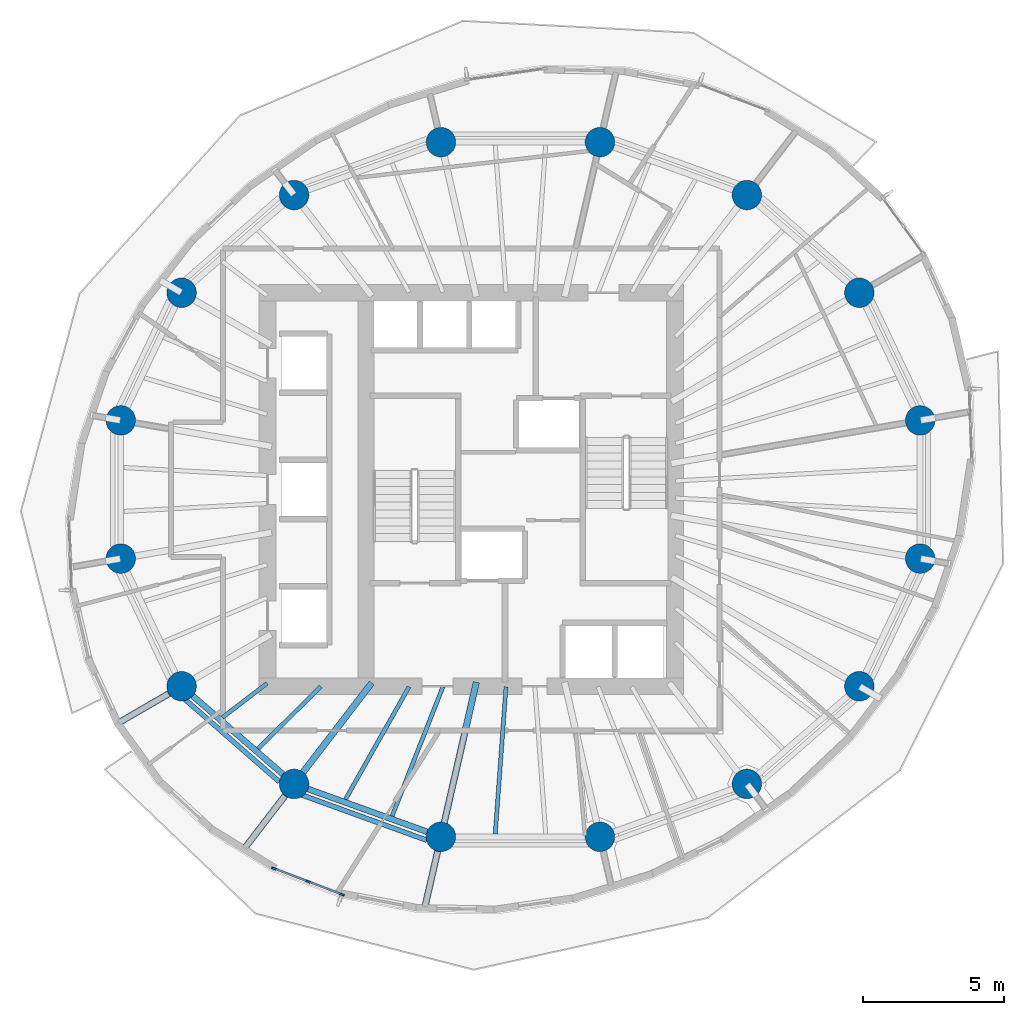
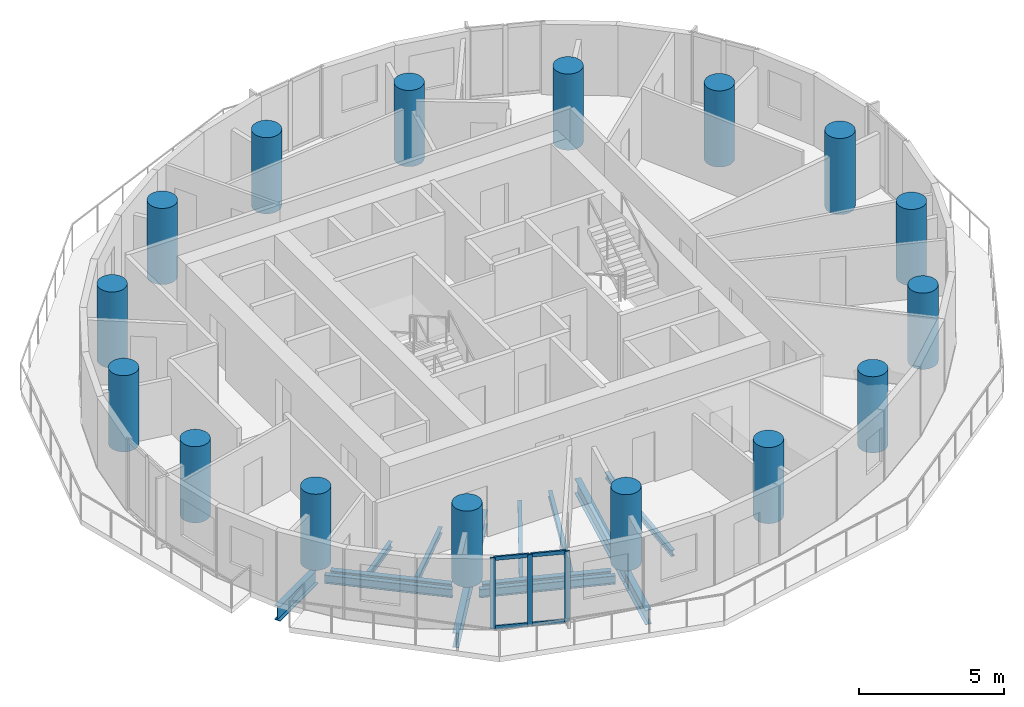
# One storey, part 1 of 14: 16 columns, 14 beams, 7 members, 1 element without a shape of its own.
"""IFC4 building model written with IfcOpenShell, lengths in metres."""

from ifc_helpers import new_model, si_unit, direction, frame, origin, origin_2d, place, context, subcontext, project, spatial, rectangle, circle, i_section, extrude, material, material_profile, profile_set, type_object, element, aggregate, save


model = new_model("IFC4")

# Units and contexts
model_context = context("Model", 3, precision=1e-05, world=origin(), true_north=direction((0.0, 1.0)))
body_context = subcontext(model_context, "Body", "Model", "MODEL_VIEW")
ifc_project = project(units=[si_unit("LENGTHUNIT", "METRE"), si_unit("AREAUNIT", "SQUARE_METRE"), si_unit("VOLUMEUNIT", "CUBIC_METRE"), si_unit("PLANEANGLEUNIT", "RADIAN"), si_unit("MASSUNIT", "GRAM", prefix="KILO")], contexts=[model_context])

# Site, building, storey
site_placement = place(None, origin())
site = spatial("IfcSite", under=ifc_project, at=site_placement, CompositionType="ELEMENT")
building_placement = place(site_placement, origin())
building = spatial("IfcBuilding", under=site, at=building_placement, Name="Veldorim Arch Residences", CompositionType="ELEMENT")
storey_placement = place(building_placement, frame((0.0, 0.0, 123.360107421875)))
storey = spatial("IfcBuildingStorey", under=building, at=storey_placement, Name="L36", CompositionType="ELEMENT", Elevation=123.360107421875)

# Columns
ifc_material_1 = material(Name="Concrete C50/60", Category="concrete")
ifc_material_profile_1 = material_profile(ifc_material_1, circle(Radius=0.52490234375, at=origin_2d()), Name="RC_CIRC_1050")
ifc_profile_set_1 = profile_set([ifc_material_profile_1], Name="Concrete C50/60")
column_type = type_object("IfcColumnType", Name="Structural Column RC_CIRC_1050", PredefinedType="COLUMN", material=ifc_profile_set_1)
for number, where, z_axis, x_axis, name in (
    (1, (46.221435546875, 26.4580078125, 0.0), (0.0, 0.0, 1.0), (1.0, 0.0, 0.0), "L36 TC-Z3-01 perimeter column"),
    (2, (44.056396484375, 31.000244140625, 0.0), (0.0, 0.0, 1.0), (1.0, 0.0, 0.0), "L36 TC-Z3-02 perimeter column"),
    (3, (40.055908203125, 34.4765625, 0.0), (0.0, 0.0, 1.0), (1.0, 0.0, 0.0), "L36 TC-Z3-03 perimeter column"),
    (4, (34.828857421875, 36.35791015625, 0.0), (0.0, 0.0, 1.0), (1.0, 0.0, 0.0), "L36 TC-Z3-04 perimeter column"),
    (5, (29.171142578125, 36.35791015625, 0.0), (0.0, 0.0, 1.0), (1.0, 0.0, 0.0), "L36 TC-Z3-05 perimeter column"),
    (6, (23.944091796875, 34.4765625, 0.0), (0.0, 0.0, 1.0), (1.0, 0.0, 0.0), "L36 TC-Z3-06 perimeter column"),
    (7, (19.943603515625, 31.000244140625, 0.0), (0.0, 0.0, 1.0), (1.0, 0.0, 0.0), "L36 TC-Z3-07 perimeter column"),
    (8, (17.778564453125, 26.4580078125, 0.0), (0.0, 0.0, 1.0), (1.0, 0.0, 0.0), "L36 TC-Z3-08 perimeter column"),
    (9, (17.778564453125, 21.5419921875, 0.0), (0.0, 0.0, 1.0), (1.0, 0.0, 0.0), "L36 TC-Z3-09 perimeter column"),
    (10, (19.943603515625, 16.999755859375, 0.0), (0.0, 0.0, 1.0), (1.0, 0.0, 0.0), "L36 TC-Z3-10 perimeter column"),
    (11, (23.944091796875, 13.5234375, 0.0), (0.0, 0.0, 1.0), (1.0, 0.0, 0.0), "L36 TC-Z3-11 perimeter column"),
    (12, (29.171142578125, 11.64208984375, 0.0), (0.0, 0.0, 1.0), (1.0, 0.0, 0.0), "L36 TC-Z3-12 perimeter column"),
    (13, (34.828857421875, 11.64208984375, 0.0), (0.0, 0.0, 1.0), (1.0, 0.0, 0.0), "L36 TC-Z3-13 perimeter column"),
    (14, (40.055908203125, 13.5234375, 0.0), (0.0, 0.0, 1.0), (1.0, 0.0, 0.0), "L36 TC-Z3-14 perimeter column"),
    (15, (44.056396484375, 16.999755859375, 0.0), (0.0, 0.0, 1.0), (1.0, 0.0, 0.0), "L36 TC-Z3-15 perimeter column"),
    (16, (46.221435546875, 21.5419921875, 0.0), (0.0, 0.0, 1.0), (1.0, 0.0, 0.0), "L36 TC-Z3-16 perimeter column"),
):
    element("IfcColumn", number, at=place(storey_placement, frame(where, z_axis=z_axis, x_axis=x_axis)), inside=storey, type_object=column_type, Name=name, PredefinedType="COLUMN", context=body_context, shape_type="SweptSolid", body=[
        extrude(circle(Radius=0.52490234375, at=origin_2d()), origin(), (0.0, 0.0, 1.0), 3.199951171875),
    ])

# Beams
ifc_material_2 = material(Name="Steel S355", Category="steel")
ifc_material_profile_2 = material_profile(ifc_material_2, i_section(OverallWidth=0.2099609375, OverallDepth=0.53662109375, WebThickness=0.0107421875, FlangeThickness=0.017333984375, at=origin_2d()), Name="UB533x210x101")
ifc_profile_set_2 = profile_set([ifc_material_profile_2], Name="Steel S355")
beam_type_1 = type_object("IfcBeamType", Name="Structural Steel Beam UB533x210x101", PredefinedType="BEAM", material=ifc_profile_set_2)
beam_1_placement = place(storey_placement, frame((20.340087890625, 16.655517578125, -0.50830078125), z_axis=(0.754810789581, -0.655942582802, 0.0), x_axis=(0.655942582802, 0.754810789581, 0.0)))
element("IfcBeam", 17, at=beam_1_placement, inside=storey, type_object=beam_type_1, Name="L36 perimeter ring tie beam 10", PredefinedType="BEAM", context=body_context, shape_type="SweptSolid", body=[
    extrude(i_section(OverallWidth=0.2099609375, OverallDepth=0.53662109375, WebThickness=0.0107421875, FlangeThickness=0.017333984375, at=origin_2d()), origin(), (0.0, 0.0, 1.0), 4.249755859375),
])
beam_2_placement = place(storey_placement, frame((24.438232421875, 13.345703125, -0.50830078125), z_axis=(0.940899155006, -0.338686846673, 0.0), x_axis=(0.338686846673, 0.940899155006, 0.0)))
element("IfcBeam", 18, at=beam_2_placement, inside=storey, type_object=beam_type_1, Name="L36 perimeter ring tie beam 11", PredefinedType="BEAM", context=body_context, shape_type="SweptSolid", body=[
    extrude(i_section(OverallWidth=0.2099609375, OverallDepth=0.53662109375, WebThickness=0.0107421875, FlangeThickness=0.017333984375, at=origin_2d()), origin(), (0.0, 0.0, 1.0), 4.50537109375),
])
ifc_material_3 = material(Name="Steel S355", Category="steel")
ifc_material_profile_3 = material_profile(ifc_material_3, i_section(OverallWidth=0.22900390625, OverallDepth=0.6123046875, WebThickness=0.011962890625, FlangeThickness=0.01953125, at=origin_2d()), Name="UB610x229x125")
ifc_profile_set_3 = profile_set([ifc_material_profile_3], Name="Steel S355")
beam_type_2 = type_object("IfcBeamType", Name="Structural Steel Beam UB610x229x125", PredefinedType="BEAM", material=ifc_profile_set_3)
beam_3_placement = place(storey_placement, frame((19.926513671875, 16.98974609375, -0.546142578125), z_axis=(-0.86480840732, -0.502102000223, 0.0), x_axis=(0.502102000223, -0.86480840732, 0.0)))
element("IfcBeam", 19, at=beam_3_placement, inside=storey, type_object=beam_type_2, Name="L36 radial edge cantilever girder 10", PredefinedType="BEAM", context=body_context, shape_type="SweptSolid", body=[
    extrude(i_section(OverallWidth=0.22900390625, OverallDepth=0.6123046875, WebThickness=0.011962890625, FlangeThickness=0.01953125, at=origin_2d()), origin(), (0.0, 0.0, 1.0), 2.635986328125),
])
beam_4_placement = place(storey_placement, frame((26.708740234375, 17.118896484375, -0.546142578125), z_axis=(-0.609559199361, -0.792740551804, 0.0), x_axis=(0.792740551804, -0.609559199361, 0.0)))
element("IfcBeam", 20, at=beam_4_placement, inside=storey, type_object=beam_type_2, Name="L36 radial floor girder 11", PredefinedType="BEAM", context=body_context, shape_type="SweptSolid", body=[
    extrude(i_section(OverallWidth=0.22900390625, OverallDepth=0.6123046875, WebThickness=0.011962890625, FlangeThickness=0.01953125, at=origin_2d()), origin(), (0.0, 0.0, 1.0), 4.515380859375),
])
beam_5_placement = place(storey_placement, frame((23.931884765625, 13.507568359375, -0.546142578125), z_axis=(-0.609529534144, -0.792763361291, 0.0), x_axis=(0.792763361291, -0.609529534144, 0.0)))
element("IfcBeam", 21, at=beam_5_placement, inside=storey, type_object=beam_type_2, Name="L36 radial edge cantilever girder 11", PredefinedType="BEAM", context=body_context, shape_type="SweptSolid", body=[
    extrude(i_section(OverallWidth=0.22900390625, OverallDepth=0.6123046875, WebThickness=0.011962890625, FlangeThickness=0.01953125, at=origin_2d()), origin(), (0.0, 0.0, 1.0), 2.929931640625),
])
beam_6_placement = place(storey_placement, frame((30.43115234375, 17.146240234375, -0.546142578125), z_axis=(-0.223119342184, -0.974791136164, 0.0), x_axis=(0.974791136164, -0.223119342184, 0.0)))
element("IfcBeam", 22, at=beam_6_placement, inside=storey, type_object=beam_type_2, Name="L36 radial floor girder 12", PredefinedType="BEAM", context=body_context, shape_type="SweptSolid", body=[
    extrude(i_section(OverallWidth=0.22900390625, OverallDepth=0.6123046875, WebThickness=0.011962890625, FlangeThickness=0.01953125, at=origin_2d()), origin(), (0.0, 0.0, 1.0), 5.62646484375),
])
beam_7_placement = place(storey_placement, frame((29.166748046875, 11.62255859375, -0.546142578125), z_axis=(-0.223192924024, -0.974774291139, 0.0), x_axis=(0.974774291139, -0.223192924024, 0.0)))
element("IfcBeam", 23, at=beam_7_placement, inside=storey, type_object=beam_type_2, Name="L36 radial edge cantilever girder 12", PredefinedType="BEAM", context=body_context, shape_type="SweptSolid", body=[
    extrude(i_section(OverallWidth=0.22900390625, OverallDepth=0.6123046875, WebThickness=0.011962890625, FlangeThickness=0.01953125, at=origin_2d()), origin(), (0.0, 0.0, 1.0), 2.611083984375),
])
ifc_material_4 = material(Name="Steel S355", Category="steel")
ifc_material_profile_4 = material_profile(ifc_material_4, i_section(OverallWidth=0.146484375, OverallDepth=0.256103515625, WebThickness=0.00634765625, FlangeThickness=0.010986328125, at=origin_2d()), Name="UB254x146x37")
ifc_profile_set_4 = profile_set([ifc_material_profile_4], Name="Steel S355")
beam_type_3 = type_object("IfcBeamType", Name="Structural Steel Joist UB254x146x37", PredefinedType="JOIST", material=ifc_profile_set_4)
beam_8_placement = place(storey_placement, frame((22.984130859375, 17.10302734375, -0.3681640625), z_axis=(-0.794312925337, -0.607508828448, 0.0), x_axis=(0.607508828448, -0.794312925337, 0.0)))
element("IfcBeam", 24, at=beam_8_placement, inside=storey, type_object=beam_type_3, Name="L36 secondary radial floor joist 10-1", PredefinedType="JOIST", context=body_context, shape_type="SweptSolid", body=[
    extrude(i_section(OverallWidth=0.146484375, OverallDepth=0.256103515625, WebThickness=0.00634765625, FlangeThickness=0.010986328125, at=origin_2d()), origin(), (0.0, 0.0, 1.0), 2.006103515625),
])
beam_9_placement = place(storey_placement, frame((24.894287109375, 16.986083984375, -0.3681640625), z_axis=(-0.711683379532, -0.702500368183, 0.0), x_axis=(0.702500368183, -0.711683379532, 0.0)))
element("IfcBeam", 25, at=beam_9_placement, inside=storey, type_object=beam_type_3, Name="L36 secondary radial floor joist 10-2", PredefinedType="JOIST", context=body_context, shape_type="SweptSolid", body=[
    extrude(i_section(OverallWidth=0.146484375, OverallDepth=0.256103515625, WebThickness=0.00634765625, FlangeThickness=0.010986328125, at=origin_2d()), origin(), (0.0, 0.0, 1.0), 3.13720703125),
])
beam_10_placement = place(storey_placement, frame((28.03662109375, 16.982666015625, -0.3681640625), z_axis=(-0.491815801586, -0.870699269157, 0.0), x_axis=(0.870699269157, -0.491815801586, 0.0)))
element("IfcBeam", 26, at=beam_10_placement, inside=storey, type_object=beam_type_3, Name="L36 secondary radial floor joist 11-1", PredefinedType="JOIST", context=body_context, shape_type="SweptSolid", body=[
    extrude(i_section(OverallWidth=0.146484375, OverallDepth=0.256103515625, WebThickness=0.00634765625, FlangeThickness=0.010986328125, at=origin_2d()), origin(), (0.0, 0.0, 1.0), 4.59814453125),
])
beam_11_placement = place(storey_placement, frame((29.2412109375, 16.9814453125, -0.3681640625), z_axis=(-0.365777738491, -0.930702232739, 0.0), x_axis=(0.930702232739, -0.365777738491, 0.0)))
element("IfcBeam", 27, at=beam_11_placement, inside=storey, type_object=beam_type_3, Name="L36 secondary radial floor joist 11-2", PredefinedType="JOIST", context=body_context, shape_type="SweptSolid", body=[
    extrude(i_section(OverallWidth=0.146484375, OverallDepth=0.256103515625, WebThickness=0.00634765625, FlangeThickness=0.010986328125, at=origin_2d()), origin(), (0.0, 0.0, 1.0), 4.9404296875),
])
beam_12_placement = place(storey_placement, frame((31.48583984375, 16.97998046875, -0.3681640625), z_axis=(-0.073060364166, -0.997327520521, 0.0), x_axis=(0.997327520521, -0.073060364166, 0.0)))
element("IfcBeam", 28, at=beam_12_placement, inside=storey, type_object=beam_type_3, Name="L36 secondary radial floor joist 12-1", PredefinedType="JOIST", context=body_context, shape_type="SweptSolid", body=[
    extrude(i_section(OverallWidth=0.146484375, OverallDepth=0.256103515625, WebThickness=0.00634765625, FlangeThickness=0.010986328125, at=origin_2d()), origin(), (0.0, 0.0, 1.0), 5.242919921875),
])
ifc_material_5 = material(Name="Steel S355", Category="steel")
ifc_material_profile_5 = material_profile(ifc_material_5, i_section(OverallWidth=0.172119140625, OverallDepth=0.35791015625, WebThickness=0.008056640625, FlangeThickness=0.012939453125, at=origin_2d()), Name="UB356x171x57")
ifc_profile_set_5 = profile_set([ifc_material_profile_5], Name="Steel S355")
beam_type_4 = type_object("IfcBeamType", Name="Structural Steel Spandrel UB356x171x57", PredefinedType="SPANDREL", material=ifc_profile_set_5)
beam_13_placement = place(storey_placement, frame((20.0419921875, 16.55078125, -0.439208984375), z_axis=(0.753014748982, -0.658003638148, 0.0), x_axis=(0.658003638148, 0.753014748982, 0.0)))
element("IfcBeam", 29, at=beam_13_placement, inside=storey, type_object=beam_type_4, Name="L36 perimeter chord spandrel beam 10", PredefinedType="SPANDREL", context=body_context, shape_type="SweptSolid", body=[
    extrude(i_section(OverallWidth=0.172119140625, OverallDepth=0.35791015625, WebThickness=0.008056640625, FlangeThickness=0.012939453125, at=origin_2d()), origin(), (0.0, 0.0, 1.0), 4.486572265625),
])
beam_14_placement = place(storey_placement, frame((24.20263671875, 13.13720703125, -0.439208984375), z_axis=(0.940212553113, -0.340588248429, 0.0), x_axis=(0.340588248429, 0.940212553113, 0.0)))
element("IfcBeam", 30, at=beam_14_placement, inside=storey, type_object=beam_type_4, Name="L36 perimeter chord spandrel beam 11", PredefinedType="SPANDREL", context=body_context, shape_type="SweptSolid", body=[
    extrude(i_section(OverallWidth=0.172119140625, OverallDepth=0.35791015625, WebThickness=0.008056640625, FlangeThickness=0.012939453125, at=origin_2d()), origin(), (0.0, 0.0, 1.0), 4.75390625),
])

# Curtain wall, members
ifc_material_6 = material(Name="Aluminium", Category="aluminium")
curtain_wall_type = type_object("IfcCurtainWallType", Name="Zone 3 High-Wind Unitised Curtain Wall", PredefinedType="NOTDEFINED", material=ifc_material_6)
curtain_wall_placement = place(storey_placement, origin())
curtain_wall = element("IfcCurtainWall", 31, at=curtain_wall_placement, inside=storey, type_object=curtain_wall_type, Name="L36 unitised curtain wall bay 22", PredefinedType="NOTDEFINED")
ifc_material_7 = material(Name="Aluminium", Category="aluminium")
ifc_material_profile_6 = material_profile(ifc_material_7, rectangle(XDim=0.070068359375, YDim=0.179931640625, at=origin_2d()), Name="ALU_MUL_70x180")
ifc_profile_set_6 = profile_set([ifc_material_profile_6], Name="Aluminium")
member_type_1 = type_object("IfcMemberType", Name="Zone 3 High-Wind Unitised Curtain Wall Mullion 70x180", PredefinedType="MULLION", material=ifc_profile_set_6)
member_1_placement = place(storey_placement, frame((25.647705078125, 9.590576171875, 0.0), z_axis=(0.0, 0.0, 1.0), x_axis=(-0.356987085335, -0.934109319568, 0.0)))
member_1 = element("IfcMember", 32, at=member_1_placement, type_object=member_type_1, Name="CW-Z3 mullion 1", PredefinedType="MULLION", context=body_context, shape_type="SweptSolid", body=[
    extrude(rectangle(XDim=0.070068359375, YDim=0.179931640625, at=origin_2d()), origin(), (0.0, 0.0, 1.0), 2.9599609375),
])
member_2_placement = place(storey_placement, frame((24.43701171875, 10.05322265625, 0.0), z_axis=(0.0, 0.0, 1.0), x_axis=(-0.356987085335, -0.934109319568, 0.0)))
member_2 = element("IfcMember", 33, at=member_2_placement, type_object=member_type_1, Name="CW-Z3 mullion 2", PredefinedType="MULLION", context=body_context, shape_type="SweptSolid", body=[
    extrude(rectangle(XDim=0.070068359375, YDim=0.179931640625, at=origin_2d()), origin(), (0.0, 0.0, 1.0), 2.9599609375),
])
member_3_placement = place(storey_placement, frame((23.2265625, 10.515869140625, 0.0), z_axis=(0.0, 0.0, 1.0), x_axis=(-0.356987085335, -0.934109319568, 0.0)))
member_3 = element("IfcMember", 34, at=member_3_placement, type_object=member_type_1, Name="CW-Z3 mullion 3", PredefinedType="MULLION", context=body_context, shape_type="SweptSolid", body=[
    extrude(rectangle(XDim=0.070068359375, YDim=0.179931640625, at=origin_2d()), origin(), (0.0, 0.0, 1.0), 2.9599609375),
])
ifc_material_8 = material(Name="Aluminium", Category="aluminium")
ifc_material_profile_7 = material_profile(ifc_material_8, rectangle(XDim=0.070068359375, YDim=0.155029296875, at=origin_2d()), Name="ALU_TRN_70x155")
ifc_profile_set_7 = profile_set([ifc_material_profile_7], Name="Aluminium")
member_type_2 = type_object("IfcMemberType", Name="Zone 3 High-Wind Unitised Curtain Wall Transom 70x155", PredefinedType="USERDEFINED", material=ifc_profile_set_7)
member_4_placement = place(storey_placement, frame((25.614990234375, 9.60302734375, 0.034912109375), z_axis=(-0.934092855841, 0.357030162124, 0.0), x_axis=(-0.357030162124, -0.934092855841, 0.0)))
member_4 = element("IfcMember", 35, at=member_4_placement, type_object=member_type_2, Name="CW-Z3 transom 1.1", ObjectType="TRANSOM", PredefinedType="USERDEFINED", context=body_context, shape_type="SweptSolid", body=[
    extrude(rectangle(XDim=0.070068359375, YDim=0.155029296875, at=origin_2d()), origin(), (0.0, 0.0, 1.0), 1.22607421875),
])
member_5_placement = place(storey_placement, frame((25.614990234375, 9.60302734375, 2.9248046875), z_axis=(-0.934092855841, 0.357030162124, 0.0), x_axis=(-0.357030162124, -0.934092855841, 0.0)))
member_5 = element("IfcMember", 36, at=member_5_placement, type_object=member_type_2, Name="CW-Z3 transom 1.2", ObjectType="TRANSOM", PredefinedType="USERDEFINED", context=body_context, shape_type="SweptSolid", body=[
    extrude(rectangle(XDim=0.070068359375, YDim=0.155029296875, at=origin_2d()), origin(), (0.0, 0.0, 1.0), 1.22607421875),
])
member_6_placement = place(storey_placement, frame((24.404296875, 10.065673828125, 0.034912109375), z_axis=(-0.934067466256, 0.357096581449, 0.0), x_axis=(-0.357096581449, -0.934067466256, 0.0)))
member_6 = element("IfcMember", 37, at=member_6_placement, type_object=member_type_2, Name="CW-Z3 transom 2.1", ObjectType="TRANSOM", PredefinedType="USERDEFINED", context=body_context, shape_type="SweptSolid", body=[
    extrude(rectangle(XDim=0.070068359375, YDim=0.155029296875, at=origin_2d()), origin(), (0.0, 0.0, 1.0), 1.225830078125),
])
member_7_placement = place(storey_placement, frame((24.404296875, 10.065673828125, 2.9248046875), z_axis=(-0.934067466256, 0.357096581449, 0.0), x_axis=(-0.357096581449, -0.934067466256, 0.0)))
member_7 = element("IfcMember", 38, at=member_7_placement, type_object=member_type_2, Name="CW-Z3 transom 2.2", ObjectType="TRANSOM", PredefinedType="USERDEFINED", context=body_context, shape_type="SweptSolid", body=[
    extrude(rectangle(XDim=0.070068359375, YDim=0.155029296875, at=origin_2d()), origin(), (0.0, 0.0, 1.0), 1.225830078125),
])
aggregate(curtain_wall, [member_1, member_2, member_3, member_4, member_5, member_6, member_7])

save(model, "model.ifc")
